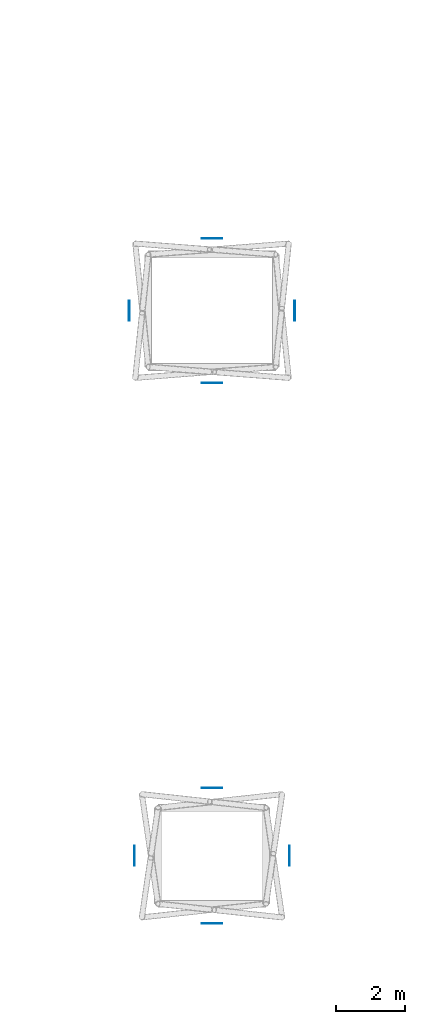
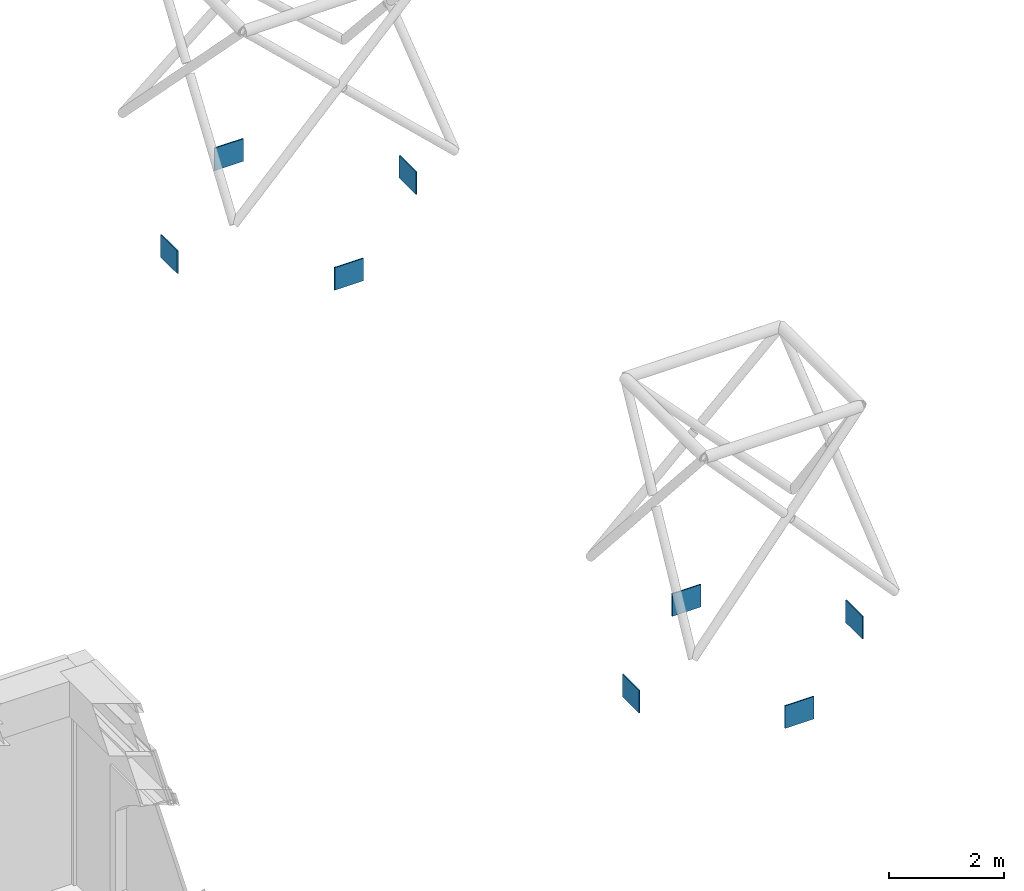
# One storey, part 74 of 127: 8 plates.
"""IFC4 building model written with IfcOpenShell, lengths in metres."""

from ifc_helpers import new_model, si_unit, direction, frame, origin, origin_2d, place, context, subcontext, project, spatial, rectangle, extrude, material, layer, layer_set, type_object, element, save


model = new_model("IFC4")

# Units and contexts
model_context = context("Model", 3, precision=1e-05, world=origin(), true_north=direction((0.0, 1.0)))
body_context = subcontext(model_context, "Body", "Model", "MODEL_VIEW")
ifc_project = project(units=[si_unit("LENGTHUNIT", "METRE"), si_unit("AREAUNIT", "SQUARE_METRE"), si_unit("VOLUMEUNIT", "CUBIC_METRE"), si_unit("PLANEANGLEUNIT", "RADIAN"), si_unit("MASSUNIT", "GRAM", prefix="KILO")], contexts=[model_context])

# Site, building, storey
site_placement = place(None, origin())
site = spatial("IfcSite", under=ifc_project, at=site_placement, CompositionType="ELEMENT")
building_placement = place(site_placement, origin())
building = spatial("IfcBuilding", under=site, at=building_placement, Name="Cumevento Cable Car Station", CompositionType="ELEMENT")
storey_placement = place(building_placement, frame((0.0, 0.0, 4.5)))
storey = spatial("IfcBuildingStorey", under=building, at=storey_placement, Name="L02", CompositionType="ELEMENT", Elevation=4.5)

# Plates
ifc_material = material(Name="Steel ASTM A572 Grade 50", Category="steel")
ifc_layer = layer(ifc_material, 0.02197265625)
ifc_layer_set = layer_set([ifc_layer], Name="Steel ASTM A572 Grade 50")
plate_type = type_object("IfcPlateType", Name="Steel Plate GP-02 580x22x480", PredefinedType="USERDEFINED", material=ifc_layer_set)
for number, where, z_axis, x_axis, name in (
    (1, (94.0, 20.907958984375, 1.376708984375), (0.0, 0.0, 1.0), (1.0, 0.0, 0.0), "X-Brace Crossing Node Gusset Plate #91"),
    (2, (96.397216796875, 23.0, 1.371826171875), (0.0, 0.0, 1.0), (0.0, 1.0, 0.0), "X-Brace Crossing Node Gusset Plate #92"),
    (3, (94.0, 25.092041015625, 1.376708984375), (0.0, 0.0, 1.0), (1.0, 0.0, 0.0), "X-Brace Crossing Node Gusset Plate #93"),
    (4, (91.602783203125, 23.0, 1.371826171875), (0.0, 0.0, 1.0), (0.0, 1.0, 0.0), "X-Brace Crossing Node Gusset Plate #94"),
    (5, (94.0, 5.2373046875, 1.572021484375), (0.0, 0.0, 1.0), (1.0, 0.0, 0.0), "X-Brace Crossing Node Gusset Plate #111"),
    (6, (96.243896484375, 7.199951171875, 1.564697265625), (0.0, 0.0, 1.0), (0.0, 1.0, 0.0), "X-Brace Crossing Node Gusset Plate #112"),
    (7, (94.0, 9.16259765625, 1.572021484375), (0.0, 0.0, 1.0), (1.0, 0.0, 0.0), "X-Brace Crossing Node Gusset Plate #113"),
    (8, (91.756103515625, 7.199951171875, 1.564697265625), (0.0, 0.0, 1.0), (0.0, 1.0, 0.0), "X-Brace Crossing Node Gusset Plate #114"),
):
    element("IfcPlate", number, at=place(storey_placement, frame(where, z_axis=z_axis, x_axis=x_axis)), inside=storey, type_object=plate_type, Name=name, ObjectType="GUSSET_PLATE", PredefinedType="USERDEFINED", context=body_context, shape_type="SweptSolid", body=[
        extrude(rectangle(XDim=0.580078125, YDim=0.02197265625, at=origin_2d()), origin(), (0.0, 0.0, 1.0), 0.47998046875),
    ])

save(model, "model.ifc")
